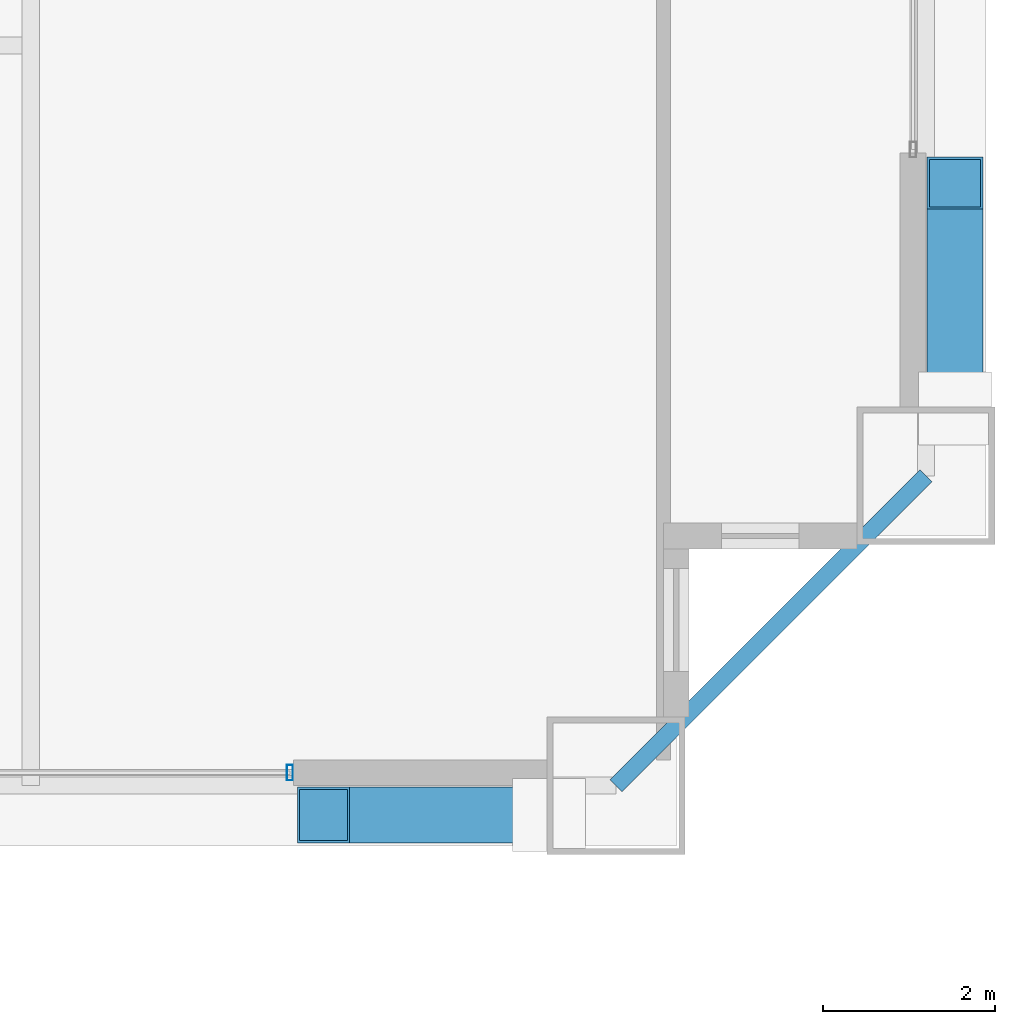
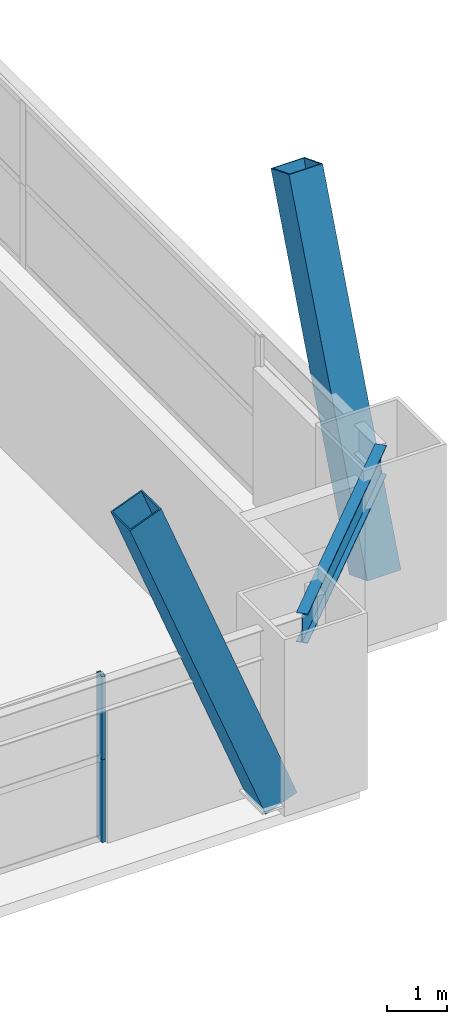
# One storey, part 17 of 43: 4 members, 1 beam, 1 element without a shape of its own.
"""IFC4 building model written with IfcOpenShell, lengths in metres."""

from ifc_helpers import new_model, si_unit, direction, frame, origin, origin_2d, place, context, subcontext, project, spatial, hollow_rectangle, i_section, extrude, source, transform, mapped, material, layer, layer_set, material_profile, profile_set, type_object, element, aggregate, save


model = new_model("IFC4")

# Units and contexts
model_context = context("Model", 3, precision=1e-05, world=origin(), true_north=direction((0.0, 1.0)))
body_context = subcontext(model_context, "Body", "Model", "MODEL_VIEW")
ifc_project = project(units=[si_unit("LENGTHUNIT", "METRE"), si_unit("AREAUNIT", "SQUARE_METRE"), si_unit("VOLUMEUNIT", "CUBIC_METRE"), si_unit("PLANEANGLEUNIT", "RADIAN"), si_unit("MASSUNIT", "GRAM", prefix="KILO"), si_unit("THERMODYNAMICTEMPERATUREUNIT", "KELVIN"), si_unit("POWERUNIT", "WATT")], contexts=[model_context])

# Site, building, storey
site_placement = place(None, origin())
site = spatial("IfcSite", under=ifc_project, at=site_placement, CompositionType="ELEMENT")
building_placement = place(site_placement, origin())
building = spatial("IfcBuilding", under=site, at=building_placement, Name="Yuzanri Waterfront Tower", CompositionType="ELEMENT")
storey_placement = place(building_placement, frame((0.0, 0.0, 138.0)))
storey = spatial("IfcBuildingStorey", under=building, at=storey_placement, Name="L36", CompositionType="ELEMENT", Elevation=138.0)

# Beam
ifc_material_1 = material(Name="Steel Q355B", Category="steel")
ifc_material_profile_1 = material_profile(ifc_material_1, i_section(OverallWidth=0.199951171875, OverallDepth=0.60009765625, WebThickness=0.010986328125, FlangeThickness=0.01708984375, at=origin_2d()), Name="HN 600x200x11x17")
ifc_profile_set_1 = profile_set([ifc_material_profile_1], Name="Steel Q355B")
beam_type = type_object("IfcBeamType", Name="Perimeter Spandrel Q355B HN 600x200", PredefinedType="SPANDREL", material=ifc_profile_set_1)
shared_shape_1 = source(origin(), body_context, "Body", "SweptSolid", [
    extrude(i_section(OverallWidth=0.199951171875, OverallDepth=0.60009765625, WebThickness=0.010986328125, FlangeThickness=0.01708984375, at=origin_2d()), origin(), (0.0, 0.0, 1.0), 5.09130859375),
])
beam_placement = place(storey_placement, frame((57.0, 2.199951171875, 3.080078125), z_axis=(0.707106781187, 0.707106781187, 0.0), x_axis=(-0.707106781187, 0.707106781187, 0.0)))
element("IfcBeam", 1, at=beam_placement, inside=storey, type_object=beam_type, Name="L36 Perimeter Spandrel S3-E1", PredefinedType="SPANDREL", context=body_context, shape_type="MappedRepresentation", body=[
    mapped(shared_shape_1, transform((0.0, 0.0, 0.0), scale=1.0)),
])

# Members
ifc_material_2 = material(Name="Steel Q420GJC", Category="steel")
ifc_material_profile_2 = material_profile(ifc_material_2, hollow_rectangle(XDim=0.64990234375, YDim=0.64990234375, WallThickness=0.028076171875, at=origin_2d()), Name="RHS 650x650x28")
ifc_profile_set_2 = profile_set([ifc_material_profile_2], Name="Steel Q420GJC")
member_type_1 = type_object("IfcMemberType", Name="Mega Brace Lower Q420GJC RHS 650x650x28", PredefinedType="BRACE", material=ifc_profile_set_2)
shared_shape_2 = source(origin(), body_context, "Body", "SweptSolid", [
    extrude(hollow_rectangle(XDim=0.64990234375, YDim=0.64990234375, WallThickness=0.028076171875, at=origin_2d()), origin(), (0.0, 0.0, 1.0), 7.19384765625),
])
for number, where, z_axis, x_axis, name in (
    (2, (56.219970703125, 1.860107421875, 0.179931640625), (-0.36417668996, 0.0, 0.9313298763), (0.0, -1.0, 0.0), "L36-L37 Perimeter Mega-Brace S-R"),
    (3, (60.93994140625, 6.580078125, 0.179931640625), (0.0, 0.36417668996, 0.9313298763), (-1.0, 0.0, 0.0), "L36-L37 Perimeter Mega-Brace E-L"),
):
    element("IfcMember", number, at=place(storey_placement, frame(where, z_axis=z_axis, x_axis=x_axis)), inside=storey, type_object=member_type_1, Name=name, PredefinedType="BRACE", context=body_context, shape_type="MappedRepresentation", body=[
        mapped(shared_shape_2, transform((0.0, 0.0, 0.0), scale=1.0)),
    ])

# Curtain wall, members
ifc_material_3 = material(Name="Anodized Architectural Bronze", Category="metal")
ifc_layer = layer(ifc_material_3, 0.159912109375)
ifc_layer_set = layer_set([ifc_layer], Name="Anodized Architectural Bronze")
curtain_wall_type = type_object("IfcCurtainWallType", Name="Anodized Bronze Hotel Upper-Tier Solar-Control Unitized Curtain Wall 7800", PredefinedType="NOTDEFINED", material=ifc_layer_set)
curtain_wall_placement = place(storey_placement, origin())
curtain_wall = element("IfcCurtainWall", 4, at=curtain_wall_placement, inside=storey, type_object=curtain_wall_type, Name="L36 Curtain Wall CW-L36-SR", PredefinedType="NOTDEFINED")
ifc_material_4 = material(Name="Anodized Architectural Bronze", Category="metal")
ifc_material_profile_3 = material_profile(ifc_material_4, hollow_rectangle(XDim=0.070068359375, YDim=0.179931640625, WallThickness=0.00390625, at=origin_2d()), Name="CWM 70x180")
ifc_profile_set_3 = profile_set([ifc_material_profile_3], Name="Anodized Architectural Bronze")
member_type_2 = type_object("IfcMemberType", Name="Anodized Bronze Standard Curtain-Wall Mullion 70x180", PredefinedType="MULLION", material=ifc_profile_set_3)
shared_shape_3 = source(origin(), body_context, "Body", "SweptSolid", [
    extrude(hollow_rectangle(XDim=0.070068359375, YDim=0.179931640625, WallThickness=0.00390625, at=origin_2d()), origin(), (0.0, 0.0, 1.0), 1.68798828125),
])
member_1_placement = place(storey_placement, frame((53.2099609375, 2.35009765625, 0.0), z_axis=(0.0, 0.0, 1.0), x_axis=(1.0, 0.0, 0.0)))
member_1 = element("IfcMember", 5, at=member_1_placement, type_object=member_type_2, Name="CW-L36-SR Lower Mullion 02", PredefinedType="MULLION", context=body_context, shape_type="MappedRepresentation", body=[
    mapped(shared_shape_3, transform((0.0, 0.0, 0.0), scale=1.0)),
])
member_2_placement = place(storey_placement, frame((53.2099609375, 2.35009765625, 1.69189453125), z_axis=(0.0, 0.0, 1.0), x_axis=(1.0, 0.0, 0.0)))
member_2 = element("IfcMember", 6, at=member_2_placement, type_object=member_type_2, Name="CW-L36-SR Upper Mullion 02", PredefinedType="MULLION", context=body_context, shape_type="MappedRepresentation", body=[
    mapped(shared_shape_3, transform((0.0, 0.0, 0.0), scale=1.0)),
])
aggregate(curtain_wall, [member_1, member_2])

save(model, "model.ifc")
